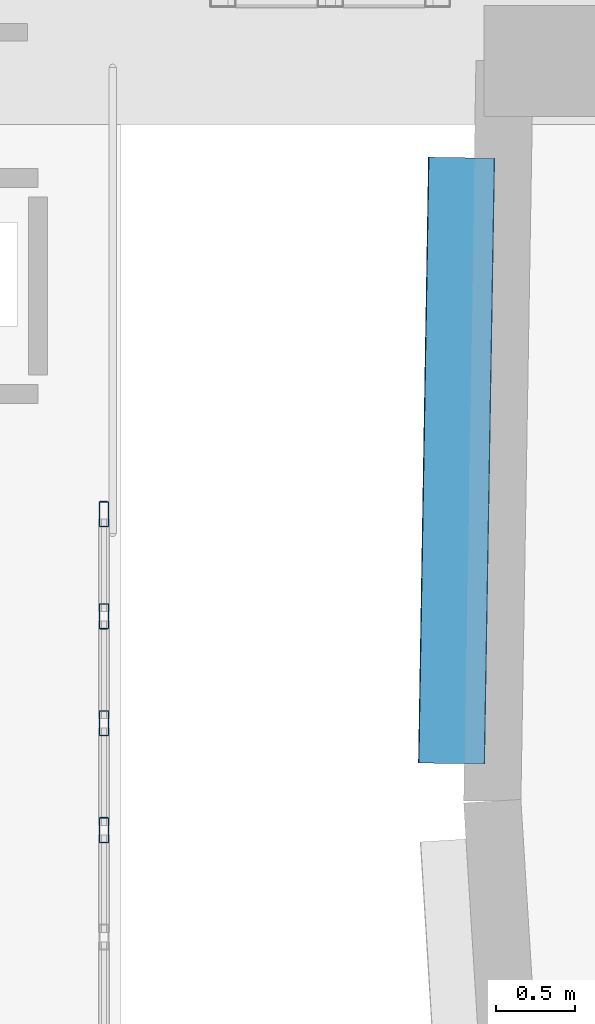
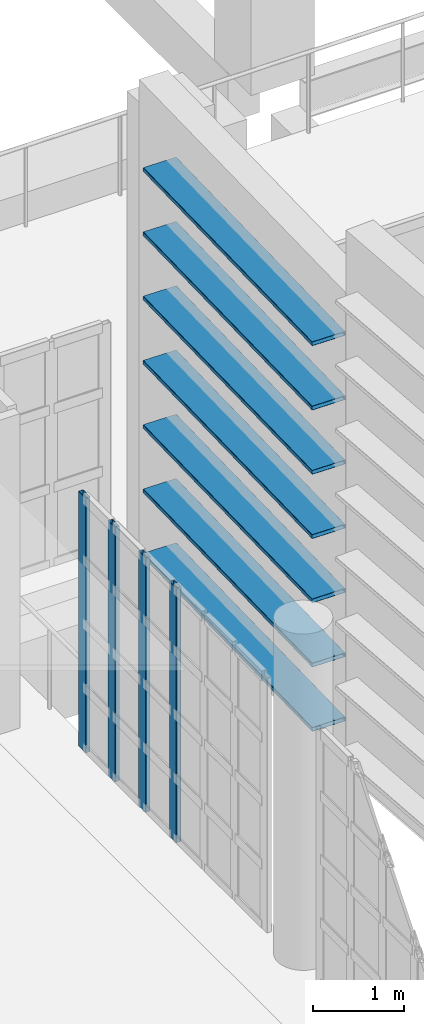
# One storey, part 14 of 73: 11 members, 1 element without a shape of its own.
"""IFC4 building model written with IfcOpenShell, lengths in metres."""

from ifc_helpers import new_model, si_unit, direction, frame, origin, origin_2d, place, context, subcontext, project, spatial, hollow_rectangle, extrude, material, material_profile, profile_set, type_object, element, aggregate, save


model = new_model("IFC4")

# Units and contexts
model_context = context("Model", 3, precision=1e-05, world=origin(), true_north=direction((0.0, 1.0)))
body_context = subcontext(model_context, "Body", "Model", "MODEL_VIEW")
ifc_project = project(units=[si_unit("LENGTHUNIT", "METRE"), si_unit("AREAUNIT", "SQUARE_METRE"), si_unit("VOLUMEUNIT", "CUBIC_METRE"), si_unit("PLANEANGLEUNIT", "RADIAN"), si_unit("MASSUNIT", "GRAM", prefix="KILO")], contexts=[model_context])

# Site, building, storey
site_placement = place(None, origin())
site = spatial("IfcSite", under=ifc_project, at=site_placement, CompositionType="ELEMENT")
building_placement = place(site_placement, origin())
building = spatial("IfcBuilding", under=site, at=building_placement, Name="Kaelora Sail Theatre", CompositionType="ELEMENT")
storey_placement = place(building_placement, frame((0.0, 0.0, 10.199951171875)))
storey = spatial("IfcBuildingStorey", under=building, at=storey_placement, Name="L02", CompositionType="ELEMENT", Elevation=10.199951171875)

# Members
ifc_material_1 = material(Name="Anodised aluminium 6063-T6", Category="aluminium")
ifc_material_profile_1 = material_profile(ifc_material_1, hollow_rectangle(XDim=0.419921875, YDim=0.054931640625, WallThickness=0.00390625, InnerFilletRadius=0.00390625, OuterFilletRadius=0.008056640625, at=origin_2d()), Name="LOUVRE 420x55x4")
ifc_profile_set_1 = profile_set([ifc_material_profile_1], Name="Anodised aluminium 6063-T6")
member_type_1 = type_object("IfcMemberType", Name="ARC-MEM-LVR-420", PredefinedType="USERDEFINED", material=ifc_profile_set_1)
for number, where, z_axis, x_axis, name in (
    (1, (76.466552734375, 56.6015625, 0.510009765625), (0.016590707442, 0.999862364742, 0.0), (-0.999862364742, 0.016590707442, 0.0), "Studio Theatre Sail Drum horizontal solar louvre C20-12"),
    (2, (76.466552734375, 56.6015625, 1.3701171875), (0.016590707442, 0.999862364742, 0.0), (-0.999862364742, 0.016590707442, 0.0), "Studio Theatre Sail Drum horizontal solar louvre C20-13"),
    (3, (76.466552734375, 56.6015625, 2.22998046875), (0.016590707442, 0.999862364742, 0.0), (-0.999862364742, 0.016590707442, 0.0), "Studio Theatre Sail Drum horizontal solar louvre C20-14"),
    (4, (76.466552734375, 56.6015625, 3.090087890625), (0.016590707442, 0.999862364742, 0.0), (-0.999862364742, 0.016590707442, 0.0), "Studio Theatre Sail Drum horizontal solar louvre C20-15"),
    (5, (76.466552734375, 56.6015625, 3.949951171875), (0.016590707442, 0.999862364742, 0.0), (-0.999862364742, 0.016590707442, 0.0), "Studio Theatre Sail Drum horizontal solar louvre C20-16"),
    (6, (76.466552734375, 56.6015625, 4.81005859375), (0.016590707442, 0.999862364742, 0.0), (-0.999862364742, 0.016590707442, 0.0), "Studio Theatre Sail Drum horizontal solar louvre C20-17"),
    (7, (76.466552734375, 56.6015625, 5.670166015625), (0.016590707442, 0.999862364742, 0.0), (-0.999862364742, 0.016590707442, 0.0), "Studio Theatre Sail Drum horizontal solar louvre C20-18"),
):
    element("IfcMember", number, at=place(storey_placement, frame(where, z_axis=z_axis, x_axis=x_axis)), inside=storey, type_object=member_type_1, Name=name, ObjectType="LOUVRE", PredefinedType="USERDEFINED", context=body_context, shape_type="SweptSolid", body=[
        extrude(hollow_rectangle(XDim=0.419921875, YDim=0.054931640625, WallThickness=0.00390625, InnerFilletRadius=0.00390625, OuterFilletRadius=0.008056640625, at=origin_2d()), origin(), (0.0, 0.0, 1.0), 3.811279296875),
    ])

# Curtain wall, members
ifc_material_2 = material(Name="Anodised aluminium and solar-control low-E IGU", Category="aluminium")
curtain_wall_type = type_object("IfcCurtainWallType", Name="ARC-CW-CW-BRG", PredefinedType="NOTDEFINED", material=ifc_material_2)
curtain_wall_placement = place(storey_placement, origin())
curtain_wall = element("IfcCurtainWall", 8, at=curtain_wall_placement, inside=storey, type_object=curtain_wall_type, Name="West Interstitial Foyer East Glazed Return L02-02", PredefinedType="NOTDEFINED")
ifc_material_3 = material(Name="Anodised aluminium 6063-T6", Category="aluminium")
ifc_material_profile_2 = material_profile(ifc_material_3, hollow_rectangle(XDim=0.06005859375, YDim=0.159912109375, WallThickness=0.00390625, InnerFilletRadius=0.00390625, OuterFilletRadius=0.008056640625, at=origin_2d()), Name="ALU-MULL 60x160x4")
ifc_profile_set_2 = profile_set([ifc_material_profile_2], Name="Anodised aluminium 6063-T6")
member_type_2 = type_object("IfcMemberType", Name="ARC-MEM-ML-160", PredefinedType="MULLION", material=ifc_profile_set_2)
member_1_placement = place(storey_placement, frame((74.280029296875, 56.1826171875, 0.0), z_axis=(0.0, 0.0, 1.0), x_axis=(-1.0, 0.0, 0.0)))
member_1 = element("IfcMember", 9, at=member_1_placement, type_object=member_type_2, Name="CW-BRG mullion 4", PredefinedType="MULLION", context=body_context, shape_type="SweptSolid", body=[
    extrude(hollow_rectangle(XDim=0.06005859375, YDim=0.159912109375, WallThickness=0.00390625, InnerFilletRadius=0.00390625, OuterFilletRadius=0.008056640625, at=origin_2d()), origin(), (0.0, 0.0, 1.0), 3.406982421875),
])
member_2_placement = place(storey_placement, frame((74.280029296875, 56.85498046875, 0.0), z_axis=(0.0, 0.0, 1.0), x_axis=(-1.0, 0.0, 0.0)))
member_2 = element("IfcMember", 10, at=member_2_placement, type_object=member_type_2, Name="CW-BRG mullion 5", PredefinedType="MULLION", context=body_context, shape_type="SweptSolid", body=[
    extrude(hollow_rectangle(XDim=0.06005859375, YDim=0.159912109375, WallThickness=0.00390625, InnerFilletRadius=0.00390625, OuterFilletRadius=0.008056640625, at=origin_2d()), origin(), (0.0, 0.0, 1.0), 3.406982421875),
])
member_3_placement = place(storey_placement, frame((74.280029296875, 57.527587890625, 0.0), z_axis=(0.0, 0.0, 1.0), x_axis=(-1.0, 0.0, 0.0)))
member_3 = element("IfcMember", 11, at=member_3_placement, type_object=member_type_2, Name="CW-BRG mullion 6", PredefinedType="MULLION", context=body_context, shape_type="SweptSolid", body=[
    extrude(hollow_rectangle(XDim=0.06005859375, YDim=0.159912109375, WallThickness=0.00390625, InnerFilletRadius=0.00390625, OuterFilletRadius=0.008056640625, at=origin_2d()), origin(), (0.0, 0.0, 1.0), 3.406982421875),
])
member_4_placement = place(storey_placement, frame((74.280029296875, 58.169921875, 0.0), z_axis=(0.0, 0.0, 1.0), x_axis=(-1.0, 0.0, 0.0)))
member_4 = element("IfcMember", 12, at=member_4_placement, type_object=member_type_2, Name="CW-BRG mullion 7", PredefinedType="MULLION", context=body_context, shape_type="SweptSolid", body=[
    extrude(hollow_rectangle(XDim=0.06005859375, YDim=0.159912109375, WallThickness=0.00390625, InnerFilletRadius=0.00390625, OuterFilletRadius=0.008056640625, at=origin_2d()), origin(), (0.0, 0.0, 1.0), 3.406982421875),
])
aggregate(curtain_wall, [member_1, member_2, member_3, member_4])

save(model, "model.ifc")
